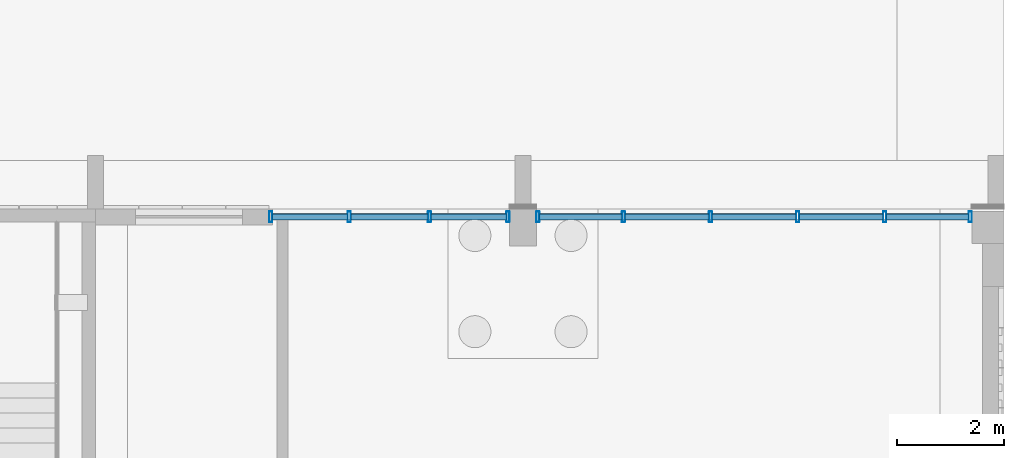
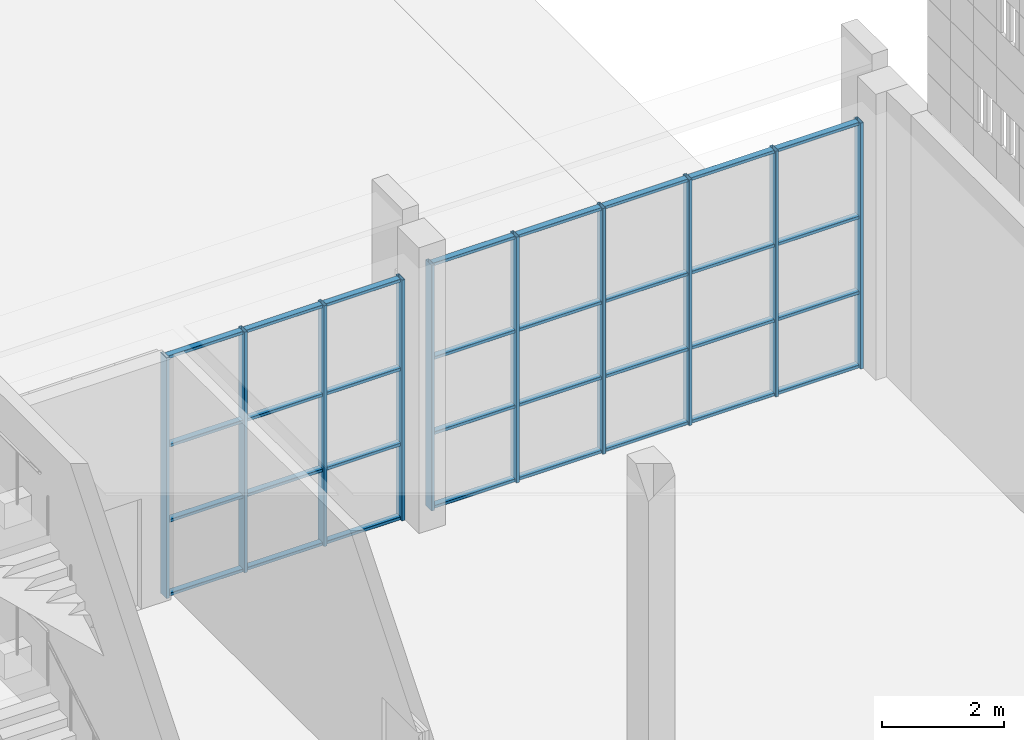
# One storey, part 36 of 125: 42 members, 2 elements without a shape of their own.
"""IFC4 building model written with IfcOpenShell, lengths in metres."""

from ifc_helpers import new_model, si_unit, direction, frame, origin, origin_2d, place, context, subcontext, project, spatial, hollow_rectangle, extrude, material, material_profile, profile_set, type_object, element, aggregate, save


model = new_model("IFC4")

# Units and contexts
model_context = context("Model", 3, precision=1e-05, world=origin(), true_north=direction((0.0, 1.0)))
body_context = subcontext(model_context, "Body", "Model", "MODEL_VIEW")
ifc_project = project(units=[si_unit("LENGTHUNIT", "METRE"), si_unit("AREAUNIT", "SQUARE_METRE"), si_unit("VOLUMEUNIT", "CUBIC_METRE"), si_unit("PLANEANGLEUNIT", "RADIAN"), si_unit("MASSUNIT", "GRAM", prefix="KILO")], contexts=[model_context])

# Site, building, storey
site_placement = place(None, origin())
site = spatial("IfcSite", under=ifc_project, at=site_placement, CompositionType="ELEMENT")
building_placement = place(site_placement, origin())
building = spatial("IfcBuilding", under=site, at=building_placement, Name="Sun Court Science Centre", CompositionType="ELEMENT")
storey_placement = place(building_placement, origin())
storey = spatial("IfcBuildingStorey", under=building, at=storey_placement, Name="L00", CompositionType="ELEMENT", Elevation=0.0)

# Curtain wall, members
ifc_material_1 = material(Name="Aluminium EN AW-6063 T6", Category="aluminium")
curtain_wall_type = type_object("IfcCurtainWallType", Name="Laboratory tall bay curtain wall 1500", PredefinedType="NOTDEFINED", material=ifc_material_1)
curtain_wall_1_placement = place(storey_placement, origin())
curtain_wall_1 = element("IfcCurtainWall", 1, at=curtain_wall_1_placement, inside=storey, type_object=curtain_wall_type, Name="Curtain wall V4 N L00 02", PredefinedType="NOTDEFINED")
ifc_material_2 = material(Name="Aluminium EN AW-6063 T6", Category="aluminium")
ifc_material_profile_1 = material_profile(ifc_material_2, hollow_rectangle(XDim=0.06005859375, YDim=0.199951171875, WallThickness=0.0048828125, InnerFilletRadius=0.0048828125, OuterFilletRadius=0.007568359375, at=origin_2d()), Name="AL 60x200x5")
ifc_profile_set_1 = profile_set([ifc_material_profile_1], Name="Aluminium EN AW-6063 T6")
member_type_1 = type_object("IfcMemberType", Name="Curtain wall mullion AL 60x200", PredefinedType="MULLION", material=ifc_profile_set_1)
member_1_placement = place(storey_placement, frame((90.280029296875, 80.85009765625, 0.0), z_axis=(0.0, 0.0, 1.0), x_axis=(1.0, 0.0, 0.0)))
member_1 = element("IfcMember", 2, at=member_1_placement, type_object=member_type_1, Name="CW2-62 mullion 1", PredefinedType="MULLION", context=body_context, shape_type="SweptSolid", body=[
    extrude(hollow_rectangle(XDim=0.06005859375, YDim=0.199951171875, WallThickness=0.0048828125, InnerFilletRadius=0.0048828125, OuterFilletRadius=0.007568359375, at=origin_2d()), origin(), (0.0, 0.0, 1.0), 4.800048828125),
])
member_2_placement = place(storey_placement, frame((91.75, 80.85009765625, 0.0), z_axis=(0.0, 0.0, 1.0), x_axis=(1.0, 0.0, 0.0)))
member_2 = element("IfcMember", 3, at=member_2_placement, type_object=member_type_1, Name="CW2-62 mullion 2", PredefinedType="MULLION", context=body_context, shape_type="SweptSolid", body=[
    extrude(hollow_rectangle(XDim=0.06005859375, YDim=0.199951171875, WallThickness=0.0048828125, InnerFilletRadius=0.0048828125, OuterFilletRadius=0.007568359375, at=origin_2d()), origin(), (0.0, 0.0, 1.0), 4.800048828125),
])
member_3_placement = place(storey_placement, frame((93.25, 80.85009765625, 0.0), z_axis=(0.0, 0.0, 1.0), x_axis=(1.0, 0.0, 0.0)))
member_3 = element("IfcMember", 4, at=member_3_placement, type_object=member_type_1, Name="CW2-62 mullion 3", PredefinedType="MULLION", context=body_context, shape_type="SweptSolid", body=[
    extrude(hollow_rectangle(XDim=0.06005859375, YDim=0.199951171875, WallThickness=0.0048828125, InnerFilletRadius=0.0048828125, OuterFilletRadius=0.007568359375, at=origin_2d()), origin(), (0.0, 0.0, 1.0), 4.800048828125),
])
member_4_placement = place(storey_placement, frame((94.719970703125, 80.85009765625, 0.0), z_axis=(0.0, 0.0, 1.0), x_axis=(1.0, 0.0, 0.0)))
member_4 = element("IfcMember", 5, at=member_4_placement, type_object=member_type_1, Name="CW2-62 mullion 4", PredefinedType="MULLION", context=body_context, shape_type="SweptSolid", body=[
    extrude(hollow_rectangle(XDim=0.06005859375, YDim=0.199951171875, WallThickness=0.0048828125, InnerFilletRadius=0.0048828125, OuterFilletRadius=0.007568359375, at=origin_2d()), origin(), (0.0, 0.0, 1.0), 4.800048828125),
])

curtain_wall_2_placement = place(storey_placement, origin())
curtain_wall_2 = element("IfcCurtainWall", 6, at=curtain_wall_2_placement, inside=storey, type_object=curtain_wall_type, Name="Curtain wall V4 N L00 03", PredefinedType="NOTDEFINED")
member_5_placement = place(storey_placement, frame((95.280029296875, 80.85009765625, 0.0), z_axis=(0.0, 0.0, 1.0), x_axis=(1.0, 0.0, 0.0)))
member_5 = element("IfcMember", 7, at=member_5_placement, type_object=member_type_1, Name="CW2-63 mullion 1", PredefinedType="MULLION", context=body_context, shape_type="SweptSolid", body=[
    extrude(hollow_rectangle(XDim=0.06005859375, YDim=0.199951171875, WallThickness=0.0048828125, InnerFilletRadius=0.0048828125, OuterFilletRadius=0.007568359375, at=origin_2d()), origin(), (0.0, 0.0, 1.0), 4.89990234375),
])
member_6_placement = place(storey_placement, frame((96.8798828125, 80.85009765625, 0.0), z_axis=(0.0, 0.0, 1.0), x_axis=(1.0, 0.0, 0.0)))
member_6 = element("IfcMember", 8, at=member_6_placement, type_object=member_type_1, Name="CW2-63 mullion 2", PredefinedType="MULLION", context=body_context, shape_type="SweptSolid", body=[
    extrude(hollow_rectangle(XDim=0.06005859375, YDim=0.199951171875, WallThickness=0.0048828125, InnerFilletRadius=0.0048828125, OuterFilletRadius=0.007568359375, at=origin_2d()), origin(), (0.0, 0.0, 1.0), 4.89990234375),
])
member_7_placement = place(storey_placement, frame((98.510009765625, 80.85009765625, 0.0), z_axis=(0.0, 0.0, 1.0), x_axis=(1.0, 0.0, 0.0)))
member_7 = element("IfcMember", 9, at=member_7_placement, type_object=member_type_1, Name="CW2-63 mullion 3", PredefinedType="MULLION", context=body_context, shape_type="SweptSolid", body=[
    extrude(hollow_rectangle(XDim=0.06005859375, YDim=0.199951171875, WallThickness=0.0048828125, InnerFilletRadius=0.0048828125, OuterFilletRadius=0.007568359375, at=origin_2d()), origin(), (0.0, 0.0, 1.0), 4.89990234375),
])
member_8_placement = place(storey_placement, frame((100.139892578125, 80.85009765625, 0.0), z_axis=(0.0, 0.0, 1.0), x_axis=(1.0, 0.0, 0.0)))
member_8 = element("IfcMember", 10, at=member_8_placement, type_object=member_type_1, Name="CW2-63 mullion 4", PredefinedType="MULLION", context=body_context, shape_type="SweptSolid", body=[
    extrude(hollow_rectangle(XDim=0.06005859375, YDim=0.199951171875, WallThickness=0.0048828125, InnerFilletRadius=0.0048828125, OuterFilletRadius=0.007568359375, at=origin_2d()), origin(), (0.0, 0.0, 1.0), 4.89990234375),
])
member_9_placement = place(storey_placement, frame((101.77001953125, 80.85009765625, 0.0), z_axis=(0.0, 0.0, 1.0), x_axis=(1.0, 0.0, 0.0)))
member_9 = element("IfcMember", 11, at=member_9_placement, type_object=member_type_1, Name="CW2-63 mullion 5", PredefinedType="MULLION", context=body_context, shape_type="SweptSolid", body=[
    extrude(hollow_rectangle(XDim=0.06005859375, YDim=0.199951171875, WallThickness=0.0048828125, InnerFilletRadius=0.0048828125, OuterFilletRadius=0.007568359375, at=origin_2d()), origin(), (0.0, 0.0, 1.0), 4.89990234375),
])
member_10_placement = place(storey_placement, frame((103.3701171875, 80.85009765625, 0.0), z_axis=(0.0, 0.0, 1.0), x_axis=(1.0, 0.0, 0.0)))
member_10 = element("IfcMember", 12, at=member_10_placement, type_object=member_type_1, Name="CW2-63 mullion 6", PredefinedType="MULLION", context=body_context, shape_type="SweptSolid", body=[
    extrude(hollow_rectangle(XDim=0.06005859375, YDim=0.199951171875, WallThickness=0.0048828125, InnerFilletRadius=0.0048828125, OuterFilletRadius=0.007568359375, at=origin_2d()), origin(), (0.0, 0.0, 1.0), 4.89990234375),
])

# Member
ifc_material_3 = material(Name="Aluminium EN AW-6063 T6", Category="aluminium")
ifc_material_profile_2 = material_profile(ifc_material_3, hollow_rectangle(XDim=0.06005859375, YDim=0.1201171875, WallThickness=0.00390625, InnerFilletRadius=0.00390625, OuterFilletRadius=0.006103515625, at=origin_2d()), Name="AL 60x120x4")
ifc_profile_set_2 = profile_set([ifc_material_profile_2], Name="Aluminium EN AW-6063 T6")
member_type_2 = type_object("IfcMemberType", Name="Curtain wall transom AL 60x120", PredefinedType="USERDEFINED", material=ifc_profile_set_2)
member_11_placement = place(storey_placement, frame((90.31005859375, 80.85009765625, 0.030029296875), z_axis=(1.0, 0.0, 0.0), x_axis=(0.0, 0.0, 1.0)))
member_11 = element("IfcMember", 13, at=member_11_placement, type_object=member_type_2, Name="CW2-62 transom 1.1", ObjectType="TRANSOM", PredefinedType="USERDEFINED", context=body_context, shape_type="SweptSolid", body=[
    extrude(hollow_rectangle(XDim=0.06005859375, YDim=0.1201171875, WallThickness=0.00390625, InnerFilletRadius=0.00390625, OuterFilletRadius=0.006103515625, at=origin_2d()), origin(), (0.0, 0.0, 1.0), 1.409912109375),
])

member_12_placement = place(storey_placement, frame((91.780029296875, 80.85009765625, 0.030029296875), z_axis=(1.0, 0.0, 0.0), x_axis=(0.0, 0.0, 1.0)))
member_12 = element("IfcMember", 14, at=member_12_placement, type_object=member_type_2, Name="CW2-62 transom 2.1", ObjectType="TRANSOM", PredefinedType="USERDEFINED", context=body_context, shape_type="SweptSolid", body=[
    extrude(hollow_rectangle(XDim=0.06005859375, YDim=0.1201171875, WallThickness=0.00390625, InnerFilletRadius=0.00390625, OuterFilletRadius=0.006103515625, at=origin_2d()), origin(), (0.0, 0.0, 1.0), 1.43994140625),
])

member_13_placement = place(storey_placement, frame((93.280029296875, 80.85009765625, 0.030029296875), z_axis=(1.0, 0.0, 0.0), x_axis=(0.0, 0.0, 1.0)))
member_13 = element("IfcMember", 15, at=member_13_placement, type_object=member_type_2, Name="CW2-62 transom 3.1", ObjectType="TRANSOM", PredefinedType="USERDEFINED", context=body_context, shape_type="SweptSolid", body=[
    extrude(hollow_rectangle(XDim=0.06005859375, YDim=0.1201171875, WallThickness=0.00390625, InnerFilletRadius=0.00390625, OuterFilletRadius=0.006103515625, at=origin_2d()), origin(), (0.0, 0.0, 1.0), 1.409912109375),
])

member_14_placement = place(storey_placement, frame((90.31005859375, 80.85009765625, 1.5), z_axis=(1.0, 0.0, 0.0), x_axis=(0.0, 0.0, 1.0)))
member_14 = element("IfcMember", 16, at=member_14_placement, type_object=member_type_2, Name="CW2-62 transom 1.2", ObjectType="TRANSOM", PredefinedType="USERDEFINED", context=body_context, shape_type="SweptSolid", body=[
    extrude(hollow_rectangle(XDim=0.06005859375, YDim=0.1201171875, WallThickness=0.00390625, InnerFilletRadius=0.00390625, OuterFilletRadius=0.006103515625, at=origin_2d()), origin(), (0.0, 0.0, 1.0), 1.409912109375),
])

member_15_placement = place(storey_placement, frame((91.780029296875, 80.85009765625, 1.5), z_axis=(1.0, 0.0, 0.0), x_axis=(0.0, 0.0, 1.0)))
member_15 = element("IfcMember", 17, at=member_15_placement, type_object=member_type_2, Name="CW2-62 transom 2.2", ObjectType="TRANSOM", PredefinedType="USERDEFINED", context=body_context, shape_type="SweptSolid", body=[
    extrude(hollow_rectangle(XDim=0.06005859375, YDim=0.1201171875, WallThickness=0.00390625, InnerFilletRadius=0.00390625, OuterFilletRadius=0.006103515625, at=origin_2d()), origin(), (0.0, 0.0, 1.0), 1.43994140625),
])

member_16_placement = place(storey_placement, frame((93.280029296875, 80.85009765625, 1.5), z_axis=(1.0, 0.0, 0.0), x_axis=(0.0, 0.0, 1.0)))
member_16 = element("IfcMember", 18, at=member_16_placement, type_object=member_type_2, Name="CW2-62 transom 3.2", ObjectType="TRANSOM", PredefinedType="USERDEFINED", context=body_context, shape_type="SweptSolid", body=[
    extrude(hollow_rectangle(XDim=0.06005859375, YDim=0.1201171875, WallThickness=0.00390625, InnerFilletRadius=0.00390625, OuterFilletRadius=0.006103515625, at=origin_2d()), origin(), (0.0, 0.0, 1.0), 1.409912109375),
])

member_17_placement = place(storey_placement, frame((90.31005859375, 80.85009765625, 3.0), z_axis=(1.0, 0.0, 0.0), x_axis=(0.0, 0.0, 1.0)))
member_17 = element("IfcMember", 19, at=member_17_placement, type_object=member_type_2, Name="CW2-62 transom 1.3", ObjectType="TRANSOM", PredefinedType="USERDEFINED", context=body_context, shape_type="SweptSolid", body=[
    extrude(hollow_rectangle(XDim=0.06005859375, YDim=0.1201171875, WallThickness=0.00390625, InnerFilletRadius=0.00390625, OuterFilletRadius=0.006103515625, at=origin_2d()), origin(), (0.0, 0.0, 1.0), 1.409912109375),
])

member_18_placement = place(storey_placement, frame((91.780029296875, 80.85009765625, 3.0), z_axis=(1.0, 0.0, 0.0), x_axis=(0.0, 0.0, 1.0)))
member_18 = element("IfcMember", 20, at=member_18_placement, type_object=member_type_2, Name="CW2-62 transom 2.3", ObjectType="TRANSOM", PredefinedType="USERDEFINED", context=body_context, shape_type="SweptSolid", body=[
    extrude(hollow_rectangle(XDim=0.06005859375, YDim=0.1201171875, WallThickness=0.00390625, InnerFilletRadius=0.00390625, OuterFilletRadius=0.006103515625, at=origin_2d()), origin(), (0.0, 0.0, 1.0), 1.43994140625),
])

member_19_placement = place(storey_placement, frame((93.280029296875, 80.85009765625, 3.0), z_axis=(1.0, 0.0, 0.0), x_axis=(0.0, 0.0, 1.0)))
member_19 = element("IfcMember", 21, at=member_19_placement, type_object=member_type_2, Name="CW2-62 transom 3.3", ObjectType="TRANSOM", PredefinedType="USERDEFINED", context=body_context, shape_type="SweptSolid", body=[
    extrude(hollow_rectangle(XDim=0.06005859375, YDim=0.1201171875, WallThickness=0.00390625, InnerFilletRadius=0.00390625, OuterFilletRadius=0.006103515625, at=origin_2d()), origin(), (0.0, 0.0, 1.0), 1.409912109375),
])

member_20_placement = place(storey_placement, frame((90.31005859375, 80.85009765625, 4.77001953125), z_axis=(1.0, 0.0, 0.0), x_axis=(0.0, 0.0, 1.0)))
member_20 = element("IfcMember", 22, at=member_20_placement, type_object=member_type_2, Name="CW2-62 transom 1.4", ObjectType="TRANSOM", PredefinedType="USERDEFINED", context=body_context, shape_type="SweptSolid", body=[
    extrude(hollow_rectangle(XDim=0.06005859375, YDim=0.1201171875, WallThickness=0.00390625, InnerFilletRadius=0.00390625, OuterFilletRadius=0.006103515625, at=origin_2d()), origin(), (0.0, 0.0, 1.0), 1.409912109375),
])

member_21_placement = place(storey_placement, frame((91.780029296875, 80.85009765625, 4.77001953125), z_axis=(1.0, 0.0, 0.0), x_axis=(0.0, 0.0, 1.0)))
member_21 = element("IfcMember", 23, at=member_21_placement, type_object=member_type_2, Name="CW2-62 transom 2.4", ObjectType="TRANSOM", PredefinedType="USERDEFINED", context=body_context, shape_type="SweptSolid", body=[
    extrude(hollow_rectangle(XDim=0.06005859375, YDim=0.1201171875, WallThickness=0.00390625, InnerFilletRadius=0.00390625, OuterFilletRadius=0.006103515625, at=origin_2d()), origin(), (0.0, 0.0, 1.0), 1.43994140625),
])

member_22_placement = place(storey_placement, frame((93.280029296875, 80.85009765625, 4.77001953125), z_axis=(1.0, 0.0, 0.0), x_axis=(0.0, 0.0, 1.0)))
member_22 = element("IfcMember", 24, at=member_22_placement, type_object=member_type_2, Name="CW2-62 transom 3.4", ObjectType="TRANSOM", PredefinedType="USERDEFINED", context=body_context, shape_type="SweptSolid", body=[
    extrude(hollow_rectangle(XDim=0.06005859375, YDim=0.1201171875, WallThickness=0.00390625, InnerFilletRadius=0.00390625, OuterFilletRadius=0.006103515625, at=origin_2d()), origin(), (0.0, 0.0, 1.0), 1.409912109375),
])

aggregate(curtain_wall_1, [member_1, member_2, member_3, member_4, member_11, member_12, member_13, member_14, member_15, member_16, member_17, member_18, member_19, member_20, member_21, member_22])

member_23_placement = place(storey_placement, frame((95.31005859375, 80.85009765625, 0.030029296875), z_axis=(1.0, 0.0, 0.0), x_axis=(0.0, 0.0, 1.0)))
member_23 = element("IfcMember", 25, at=member_23_placement, type_object=member_type_2, Name="CW2-63 transom 1.1", ObjectType="TRANSOM", PredefinedType="USERDEFINED", context=body_context, shape_type="SweptSolid", body=[
    extrude(hollow_rectangle(XDim=0.06005859375, YDim=0.1201171875, WallThickness=0.00390625, InnerFilletRadius=0.00390625, OuterFilletRadius=0.006103515625, at=origin_2d()), origin(), (0.0, 0.0, 1.0), 1.5400390625),
])

member_24_placement = place(storey_placement, frame((96.909912109375, 80.85009765625, 0.030029296875), z_axis=(1.0, 0.0, 0.0), x_axis=(0.0, 0.0, 1.0)))
member_24 = element("IfcMember", 26, at=member_24_placement, type_object=member_type_2, Name="CW2-63 transom 2.1", ObjectType="TRANSOM", PredefinedType="USERDEFINED", context=body_context, shape_type="SweptSolid", body=[
    extrude(hollow_rectangle(XDim=0.06005859375, YDim=0.1201171875, WallThickness=0.00390625, InnerFilletRadius=0.00390625, OuterFilletRadius=0.006103515625, at=origin_2d()), origin(), (0.0, 0.0, 1.0), 1.570068359375),
])

member_25_placement = place(storey_placement, frame((98.5400390625, 80.85009765625, 0.030029296875), z_axis=(1.0, 0.0, 0.0), x_axis=(0.0, 0.0, 1.0)))
member_25 = element("IfcMember", 27, at=member_25_placement, type_object=member_type_2, Name="CW2-63 transom 3.1", ObjectType="TRANSOM", PredefinedType="USERDEFINED", context=body_context, shape_type="SweptSolid", body=[
    extrude(hollow_rectangle(XDim=0.06005859375, YDim=0.1201171875, WallThickness=0.00390625, InnerFilletRadius=0.00390625, OuterFilletRadius=0.006103515625, at=origin_2d()), origin(), (0.0, 0.0, 1.0), 1.570068359375),
])

member_26_placement = place(storey_placement, frame((100.169921875, 80.85009765625, 0.030029296875), z_axis=(1.0, 0.0, 0.0), x_axis=(0.0, 0.0, 1.0)))
member_26 = element("IfcMember", 28, at=member_26_placement, type_object=member_type_2, Name="CW2-63 transom 4.1", ObjectType="TRANSOM", PredefinedType="USERDEFINED", context=body_context, shape_type="SweptSolid", body=[
    extrude(hollow_rectangle(XDim=0.06005859375, YDim=0.1201171875, WallThickness=0.00390625, InnerFilletRadius=0.00390625, OuterFilletRadius=0.006103515625, at=origin_2d()), origin(), (0.0, 0.0, 1.0), 1.570068359375),
])

member_27_placement = place(storey_placement, frame((101.800048828125, 80.85009765625, 0.030029296875), z_axis=(1.0, 0.0, 0.0), x_axis=(0.0, 0.0, 1.0)))
member_27 = element("IfcMember", 29, at=member_27_placement, type_object=member_type_2, Name="CW2-63 transom 5.1", ObjectType="TRANSOM", PredefinedType="USERDEFINED", context=body_context, shape_type="SweptSolid", body=[
    extrude(hollow_rectangle(XDim=0.06005859375, YDim=0.1201171875, WallThickness=0.00390625, InnerFilletRadius=0.00390625, OuterFilletRadius=0.006103515625, at=origin_2d()), origin(), (0.0, 0.0, 1.0), 1.5400390625),
])

member_28_placement = place(storey_placement, frame((95.31005859375, 80.85009765625, 1.5), z_axis=(1.0, 0.0, 0.0), x_axis=(0.0, 0.0, 1.0)))
member_28 = element("IfcMember", 30, at=member_28_placement, type_object=member_type_2, Name="CW2-63 transom 1.2", ObjectType="TRANSOM", PredefinedType="USERDEFINED", context=body_context, shape_type="SweptSolid", body=[
    extrude(hollow_rectangle(XDim=0.06005859375, YDim=0.1201171875, WallThickness=0.00390625, InnerFilletRadius=0.00390625, OuterFilletRadius=0.006103515625, at=origin_2d()), origin(), (0.0, 0.0, 1.0), 1.5400390625),
])

member_29_placement = place(storey_placement, frame((96.909912109375, 80.85009765625, 1.5), z_axis=(1.0, 0.0, 0.0), x_axis=(0.0, 0.0, 1.0)))
member_29 = element("IfcMember", 31, at=member_29_placement, type_object=member_type_2, Name="CW2-63 transom 2.2", ObjectType="TRANSOM", PredefinedType="USERDEFINED", context=body_context, shape_type="SweptSolid", body=[
    extrude(hollow_rectangle(XDim=0.06005859375, YDim=0.1201171875, WallThickness=0.00390625, InnerFilletRadius=0.00390625, OuterFilletRadius=0.006103515625, at=origin_2d()), origin(), (0.0, 0.0, 1.0), 1.570068359375),
])

member_30_placement = place(storey_placement, frame((98.5400390625, 80.85009765625, 1.5), z_axis=(1.0, 0.0, 0.0), x_axis=(0.0, 0.0, 1.0)))
member_30 = element("IfcMember", 32, at=member_30_placement, type_object=member_type_2, Name="CW2-63 transom 3.2", ObjectType="TRANSOM", PredefinedType="USERDEFINED", context=body_context, shape_type="SweptSolid", body=[
    extrude(hollow_rectangle(XDim=0.06005859375, YDim=0.1201171875, WallThickness=0.00390625, InnerFilletRadius=0.00390625, OuterFilletRadius=0.006103515625, at=origin_2d()), origin(), (0.0, 0.0, 1.0), 1.570068359375),
])

member_31_placement = place(storey_placement, frame((100.169921875, 80.85009765625, 1.5), z_axis=(1.0, 0.0, 0.0), x_axis=(0.0, 0.0, 1.0)))
member_31 = element("IfcMember", 33, at=member_31_placement, type_object=member_type_2, Name="CW2-63 transom 4.2", ObjectType="TRANSOM", PredefinedType="USERDEFINED", context=body_context, shape_type="SweptSolid", body=[
    extrude(hollow_rectangle(XDim=0.06005859375, YDim=0.1201171875, WallThickness=0.00390625, InnerFilletRadius=0.00390625, OuterFilletRadius=0.006103515625, at=origin_2d()), origin(), (0.0, 0.0, 1.0), 1.570068359375),
])

member_32_placement = place(storey_placement, frame((101.800048828125, 80.85009765625, 1.5), z_axis=(1.0, 0.0, 0.0), x_axis=(0.0, 0.0, 1.0)))
member_32 = element("IfcMember", 34, at=member_32_placement, type_object=member_type_2, Name="CW2-63 transom 5.2", ObjectType="TRANSOM", PredefinedType="USERDEFINED", context=body_context, shape_type="SweptSolid", body=[
    extrude(hollow_rectangle(XDim=0.06005859375, YDim=0.1201171875, WallThickness=0.00390625, InnerFilletRadius=0.00390625, OuterFilletRadius=0.006103515625, at=origin_2d()), origin(), (0.0, 0.0, 1.0), 1.5400390625),
])

member_33_placement = place(storey_placement, frame((95.31005859375, 80.85009765625, 3.0), z_axis=(1.0, 0.0, 0.0), x_axis=(0.0, 0.0, 1.0)))
member_33 = element("IfcMember", 35, at=member_33_placement, type_object=member_type_2, Name="CW2-63 transom 1.3", ObjectType="TRANSOM", PredefinedType="USERDEFINED", context=body_context, shape_type="SweptSolid", body=[
    extrude(hollow_rectangle(XDim=0.06005859375, YDim=0.1201171875, WallThickness=0.00390625, InnerFilletRadius=0.00390625, OuterFilletRadius=0.006103515625, at=origin_2d()), origin(), (0.0, 0.0, 1.0), 1.5400390625),
])

member_34_placement = place(storey_placement, frame((96.909912109375, 80.85009765625, 3.0), z_axis=(1.0, 0.0, 0.0), x_axis=(0.0, 0.0, 1.0)))
member_34 = element("IfcMember", 36, at=member_34_placement, type_object=member_type_2, Name="CW2-63 transom 2.3", ObjectType="TRANSOM", PredefinedType="USERDEFINED", context=body_context, shape_type="SweptSolid", body=[
    extrude(hollow_rectangle(XDim=0.06005859375, YDim=0.1201171875, WallThickness=0.00390625, InnerFilletRadius=0.00390625, OuterFilletRadius=0.006103515625, at=origin_2d()), origin(), (0.0, 0.0, 1.0), 1.570068359375),
])

member_35_placement = place(storey_placement, frame((98.5400390625, 80.85009765625, 3.0), z_axis=(1.0, 0.0, 0.0), x_axis=(0.0, 0.0, 1.0)))
member_35 = element("IfcMember", 37, at=member_35_placement, type_object=member_type_2, Name="CW2-63 transom 3.3", ObjectType="TRANSOM", PredefinedType="USERDEFINED", context=body_context, shape_type="SweptSolid", body=[
    extrude(hollow_rectangle(XDim=0.06005859375, YDim=0.1201171875, WallThickness=0.00390625, InnerFilletRadius=0.00390625, OuterFilletRadius=0.006103515625, at=origin_2d()), origin(), (0.0, 0.0, 1.0), 1.570068359375),
])

member_36_placement = place(storey_placement, frame((100.169921875, 80.85009765625, 3.0), z_axis=(1.0, 0.0, 0.0), x_axis=(0.0, 0.0, 1.0)))
member_36 = element("IfcMember", 38, at=member_36_placement, type_object=member_type_2, Name="CW2-63 transom 4.3", ObjectType="TRANSOM", PredefinedType="USERDEFINED", context=body_context, shape_type="SweptSolid", body=[
    extrude(hollow_rectangle(XDim=0.06005859375, YDim=0.1201171875, WallThickness=0.00390625, InnerFilletRadius=0.00390625, OuterFilletRadius=0.006103515625, at=origin_2d()), origin(), (0.0, 0.0, 1.0), 1.570068359375),
])

member_37_placement = place(storey_placement, frame((101.800048828125, 80.85009765625, 3.0), z_axis=(1.0, 0.0, 0.0), x_axis=(0.0, 0.0, 1.0)))
member_37 = element("IfcMember", 39, at=member_37_placement, type_object=member_type_2, Name="CW2-63 transom 5.3", ObjectType="TRANSOM", PredefinedType="USERDEFINED", context=body_context, shape_type="SweptSolid", body=[
    extrude(hollow_rectangle(XDim=0.06005859375, YDim=0.1201171875, WallThickness=0.00390625, InnerFilletRadius=0.00390625, OuterFilletRadius=0.006103515625, at=origin_2d()), origin(), (0.0, 0.0, 1.0), 1.5400390625),
])

member_38_placement = place(storey_placement, frame((95.31005859375, 80.85009765625, 4.8701171875), z_axis=(1.0, 0.0, 0.0), x_axis=(0.0, 0.0, 1.0)))
member_38 = element("IfcMember", 40, at=member_38_placement, type_object=member_type_2, Name="CW2-63 transom 1.4", ObjectType="TRANSOM", PredefinedType="USERDEFINED", context=body_context, shape_type="SweptSolid", body=[
    extrude(hollow_rectangle(XDim=0.06005859375, YDim=0.1201171875, WallThickness=0.00390625, InnerFilletRadius=0.00390625, OuterFilletRadius=0.006103515625, at=origin_2d()), origin(), (0.0, 0.0, 1.0), 1.5400390625),
])

member_39_placement = place(storey_placement, frame((96.909912109375, 80.85009765625, 4.8701171875), z_axis=(1.0, 0.0, 0.0), x_axis=(0.0, 0.0, 1.0)))
member_39 = element("IfcMember", 41, at=member_39_placement, type_object=member_type_2, Name="CW2-63 transom 2.4", ObjectType="TRANSOM", PredefinedType="USERDEFINED", context=body_context, shape_type="SweptSolid", body=[
    extrude(hollow_rectangle(XDim=0.06005859375, YDim=0.1201171875, WallThickness=0.00390625, InnerFilletRadius=0.00390625, OuterFilletRadius=0.006103515625, at=origin_2d()), origin(), (0.0, 0.0, 1.0), 1.570068359375),
])

member_40_placement = place(storey_placement, frame((98.5400390625, 80.85009765625, 4.8701171875), z_axis=(1.0, 0.0, 0.0), x_axis=(0.0, 0.0, 1.0)))
member_40 = element("IfcMember", 42, at=member_40_placement, type_object=member_type_2, Name="CW2-63 transom 3.4", ObjectType="TRANSOM", PredefinedType="USERDEFINED", context=body_context, shape_type="SweptSolid", body=[
    extrude(hollow_rectangle(XDim=0.06005859375, YDim=0.1201171875, WallThickness=0.00390625, InnerFilletRadius=0.00390625, OuterFilletRadius=0.006103515625, at=origin_2d()), origin(), (0.0, 0.0, 1.0), 1.570068359375),
])

member_41_placement = place(storey_placement, frame((100.169921875, 80.85009765625, 4.8701171875), z_axis=(1.0, 0.0, 0.0), x_axis=(0.0, 0.0, 1.0)))
member_41 = element("IfcMember", 43, at=member_41_placement, type_object=member_type_2, Name="CW2-63 transom 4.4", ObjectType="TRANSOM", PredefinedType="USERDEFINED", context=body_context, shape_type="SweptSolid", body=[
    extrude(hollow_rectangle(XDim=0.06005859375, YDim=0.1201171875, WallThickness=0.00390625, InnerFilletRadius=0.00390625, OuterFilletRadius=0.006103515625, at=origin_2d()), origin(), (0.0, 0.0, 1.0), 1.570068359375),
])

member_42_placement = place(storey_placement, frame((101.800048828125, 80.85009765625, 4.8701171875), z_axis=(1.0, 0.0, 0.0), x_axis=(0.0, 0.0, 1.0)))
member_42 = element("IfcMember", 44, at=member_42_placement, type_object=member_type_2, Name="CW2-63 transom 5.4", ObjectType="TRANSOM", PredefinedType="USERDEFINED", context=body_context, shape_type="SweptSolid", body=[
    extrude(hollow_rectangle(XDim=0.06005859375, YDim=0.1201171875, WallThickness=0.00390625, InnerFilletRadius=0.00390625, OuterFilletRadius=0.006103515625, at=origin_2d()), origin(), (0.0, 0.0, 1.0), 1.5400390625),
])

aggregate(curtain_wall_2, [member_5, member_6, member_7, member_8, member_9, member_10, member_23, member_24, member_25, member_26, member_27, member_28, member_29, member_30, member_31, member_32, member_33, member_34, member_35, member_36, member_37, member_38, member_39, member_40, member_41, member_42])

save(model, "model.ifc")
